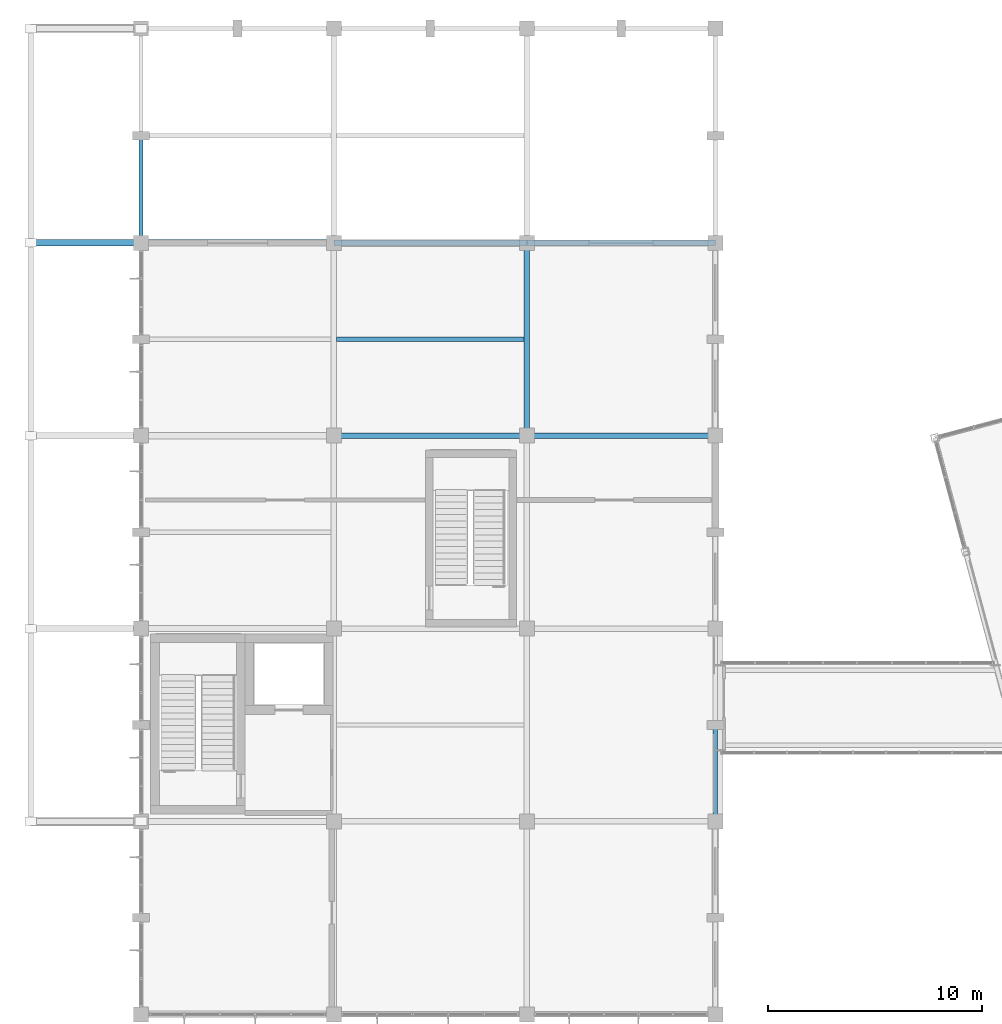
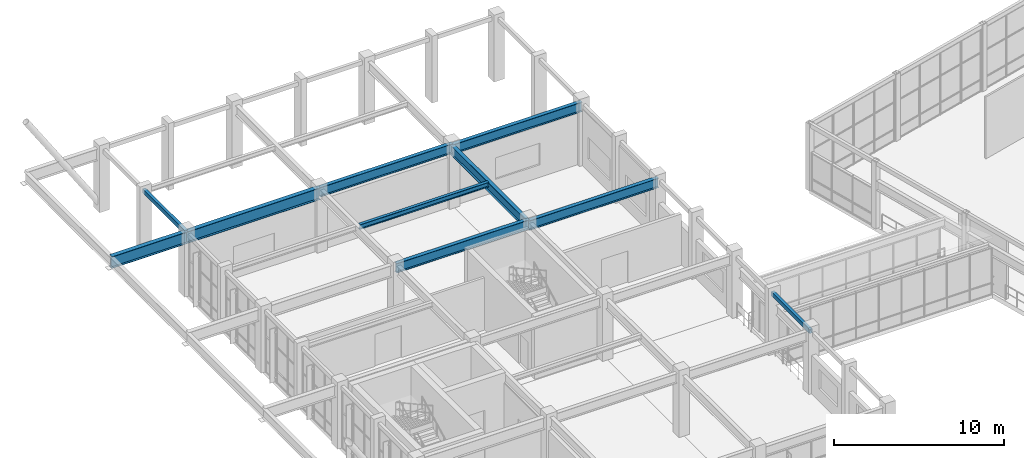
# One storey, part 26 of 99: 10 beams.
"""IFC4 building model written with IfcOpenShell, lengths in metres."""

from ifc_helpers import new_model, si_unit, direction, frame, origin, origin_2d, place, context, subcontext, project, spatial, hollow_rectangle, i_section, extrude, material, material_profile, profile_set, type_object, element, save


model = new_model("IFC4")

# Units and contexts
model_context = context("Model", 3, precision=1e-05, world=origin(), true_north=direction((0.0, 1.0)))
body_context = subcontext(model_context, "Body", "Model", "MODEL_VIEW")
ifc_project = project(units=[si_unit("LENGTHUNIT", "METRE"), si_unit("AREAUNIT", "SQUARE_METRE"), si_unit("VOLUMEUNIT", "CUBIC_METRE"), si_unit("PLANEANGLEUNIT", "RADIAN"), si_unit("MASSUNIT", "GRAM", prefix="KILO")], contexts=[model_context])

# Site, building, storey
site_placement = place(None, origin())
site = spatial("IfcSite", under=ifc_project, at=site_placement, CompositionType="ELEMENT")
building_placement = place(site_placement, origin())
building = spatial("IfcBuilding", under=site, at=building_placement, Name="Ventoquebrada Cableway Terminal", CompositionType="ELEMENT")
storey_placement = place(building_placement, frame((0.0, 0.0, 9.60009765625)))
storey = spatial("IfcBuildingStorey", under=building, at=storey_placement, Name="L02", CompositionType="ELEMENT", Elevation=9.60009765625)

# Beams
ifc_material_1 = material(Name="Steel ASTM A992 Grade 50", Category="steel")
ifc_material_profile_1 = material_profile(ifc_material_1, i_section(OverallWidth=0.25390625, OverallDepth=0.68798828125, WebThickness=0.01318359375, FlangeThickness=0.02099609375, at=origin_2d()), Name="W27X102")
ifc_profile_set_1 = profile_set([ifc_material_profile_1], Name="Steel ASTM A992 Grade 50")
beam_type_1 = type_object("IfcBeamType", Name="BM-ST04", PredefinedType="BEAM", material=ifc_profile_set_1)
beam_1_placement = place(storey_placement, frame((17.199951171875, 95.0, 4.120849609375), z_axis=(1.0, 0.0, 0.0), x_axis=(0.0, 1.0, 0.0)))
element("IfcBeam", 1, at=beam_1_placement, inside=storey, type_object=beam_type_1, Name="Primary frame girder FBM-0448", PredefinedType="BEAM", context=body_context, shape_type="SweptSolid", body=[
    extrude(i_section(OverallWidth=0.25390625, OverallDepth=0.68798828125, WebThickness=0.01318359375, FlangeThickness=0.02099609375, at=origin_2d()), origin(), (0.0, 0.0, 1.0), 9.0),
])
beam_2_placement = place(storey_placement, frame((26.199951171875, 95.0, 4.035888671875), z_axis=(1.0, 0.0, 0.0), x_axis=(0.0, 1.0, 0.0)))
element("IfcBeam", 2, at=beam_2_placement, inside=storey, type_object=beam_type_1, Name="Primary frame girder FBM-0449", PredefinedType="BEAM", context=body_context, shape_type="SweptSolid", body=[
    extrude(i_section(OverallWidth=0.25390625, OverallDepth=0.68798828125, WebThickness=0.01318359375, FlangeThickness=0.02099609375, at=origin_2d()), origin(), (0.0, 0.0, 1.0), 8.800048828125),
])
beam_3_placement = place(storey_placement, frame((17.199951171875, 104.0, 4.120849609375), z_axis=(1.0, 0.0, 0.0), x_axis=(0.0, 1.0, 0.0)))
element("IfcBeam", 3, at=beam_3_placement, inside=storey, type_object=beam_type_1, Name="Primary frame girder FBM-0451", PredefinedType="BEAM", context=body_context, shape_type="SweptSolid", body=[
    extrude(i_section(OverallWidth=0.25390625, OverallDepth=0.68798828125, WebThickness=0.01318359375, FlangeThickness=0.02099609375, at=origin_2d()), origin(), (0.0, 0.0, 1.0), 9.0),
])
beam_4_placement = place(storey_placement, frame((26.199951171875, 104.0, 4.035888671875), z_axis=(1.0, 0.0, 0.0), x_axis=(0.0, 1.0, 0.0)))
element("IfcBeam", 4, at=beam_4_placement, inside=storey, type_object=beam_type_1, Name="Primary frame girder FBM-0452", PredefinedType="BEAM", context=body_context, shape_type="SweptSolid", body=[
    extrude(i_section(OverallWidth=0.25390625, OverallDepth=0.68798828125, WebThickness=0.01318359375, FlangeThickness=0.02099609375, at=origin_2d()), origin(), (0.0, 0.0, 1.0), 8.800048828125),
])
beam_5_placement = place(storey_placement, frame((26.199951171875, 95.0, 4.035888671875), z_axis=(0.0, 1.0, 0.0), x_axis=(-1.0, 0.0, 0.0)))
element("IfcBeam", 5, at=beam_5_placement, inside=storey, type_object=beam_type_1, Name="Primary frame girder FBM-0477", PredefinedType="BEAM", context=body_context, shape_type="SweptSolid", body=[
    extrude(i_section(OverallWidth=0.25390625, OverallDepth=0.68798828125, WebThickness=0.01318359375, FlangeThickness=0.02099609375, at=origin_2d()), origin(), (0.0, 0.0, 1.0), 9.0),
])
ifc_material_profile_2 = material_profile(ifc_material_1, i_section(OverallWidth=0.2919921875, OverallDepth=0.845947265625, WebThickness=0.015380859375, FlangeThickness=0.0244140625, at=origin_2d()), Name="W33X141")
ifc_profile_set_2 = profile_set([ifc_material_profile_2], Name="Steel ASTM A992 Grade 50")
beam_type_2 = type_object("IfcBeamType", Name="BM-ST06", PredefinedType="BEAM", material=ifc_profile_set_2)
beam_6_placement = place(storey_placement, frame((8.199951171875, 104.0, 4.0419921875), z_axis=(1.0, 0.0, 0.0), x_axis=(0.0, 1.0, 0.0)))
element("IfcBeam", 6, at=beam_6_placement, inside=storey, type_object=beam_type_2, Name="Primary frame girder FBM-0450", PredefinedType="BEAM", context=body_context, shape_type="SweptSolid", body=[
    extrude(i_section(OverallWidth=0.2919921875, OverallDepth=0.845947265625, WebThickness=0.015380859375, FlangeThickness=0.0244140625, at=origin_2d()), origin(), (0.0, 0.0, 1.0), 9.0),
])
beam_7_placement = place(storey_placement, frame((3.050048828125, 104.0, 4.0419921875), z_axis=(1.0, 0.0, 0.0), x_axis=(0.0, 1.0, 0.0)))
element("IfcBeam", 7, at=beam_7_placement, inside=storey, type_object=beam_type_2, Name="Cantilever belvedere girder CB-004", PredefinedType="BEAM", context=body_context, shape_type="SweptSolid", body=[
    extrude(i_section(OverallWidth=0.2919921875, OverallDepth=0.845947265625, WebThickness=0.015380859375, FlangeThickness=0.0244140625, at=origin_2d()), origin(), (0.0, 0.0, 1.0), 5.14990234375),
])
ifc_material_profile_3 = material_profile(ifc_material_1, i_section(OverallWidth=0.2041015625, OverallDepth=0.35009765625, WebThickness=0.008544921875, FlangeThickness=0.01513671875, at=origin_2d()), Name="W14X48")
ifc_profile_set_3 = profile_set([ifc_material_profile_3], Name="Steel ASTM A992 Grade 50")
beam_type_3 = type_object("IfcBeamType", Name="JST-ST05", PredefinedType="JOIST", material=ifc_profile_set_3)
beam_8_placement = place(storey_placement, frame((17.326904296875, 99.5, 4.289794921875), z_axis=(1.0, 0.0, 0.0), x_axis=(0.0, 1.0, 0.0)))
element("IfcBeam", 8, at=beam_8_placement, inside=storey, type_object=beam_type_3, Name="Secondary floor joist JB-020", PredefinedType="JOIST", context=body_context, shape_type="SweptSolid", body=[
    extrude(i_section(OverallWidth=0.2041015625, OverallDepth=0.35009765625, WebThickness=0.008544921875, FlangeThickness=0.01513671875, at=origin_2d()), origin(), (0.0, 0.0, 1.0), 8.74609375),
])
ifc_material_2 = material(Name="Steel ASTM A500 Grade C", Category="steel")
ifc_material_profile_4 = material_profile(ifc_material_2, hollow_rectangle(XDim=0.199951171875, YDim=0.300048828125, WallThickness=0.012451171875, at=origin_2d()), Name="RHS300X200X12.5")
ifc_profile_set_4 = profile_set([ifc_material_profile_4], Name="Steel ASTM A500 Grade C")
beam_type_4 = type_object("IfcBeamType", Name="SP-ST02", PredefinedType="SPANDREL", material=ifc_profile_set_4)
beam_9_placement = place(storey_placement, frame((8.199951171875, 104.0, 4.31494140625), z_axis=(0.0, 1.0, 0.0), x_axis=(-1.0, 0.0, 0.0)))
element("IfcBeam", 9, at=beam_9_placement, inside=storey, type_object=beam_type_4, Name="Perimeter spandrel beam FBM-0467", PredefinedType="SPANDREL", context=body_context, shape_type="SweptSolid", body=[
    extrude(hollow_rectangle(XDim=0.199951171875, YDim=0.300048828125, WallThickness=0.012451171875, at=origin_2d()), origin(), (0.0, 0.0, 1.0), 5.0),
])
beam_10_placement = place(storey_placement, frame((35.0, 77.0, 4.22998046875), z_axis=(0.0, 1.0, 0.0), x_axis=(-1.0, 0.0, 0.0)))
element("IfcBeam", 10, at=beam_10_placement, inside=storey, type_object=beam_type_4, Name="Perimeter spandrel beam FBM-0481", PredefinedType="SPANDREL", context=body_context, shape_type="SweptSolid", body=[
    extrude(hollow_rectangle(XDim=0.199951171875, YDim=0.300048828125, WallThickness=0.012451171875, at=origin_2d()), origin(), (0.0, 0.0, 1.0), 4.5),
])

save(model, "model.ifc")
